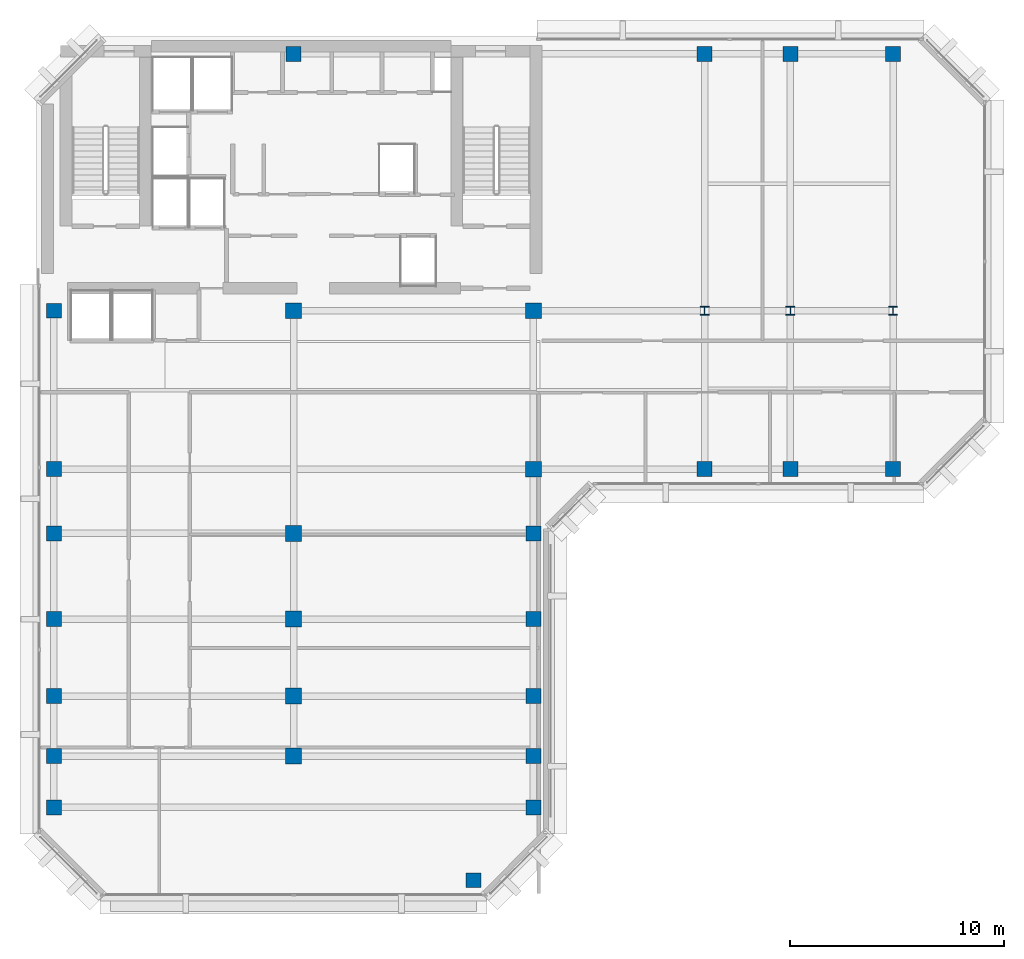
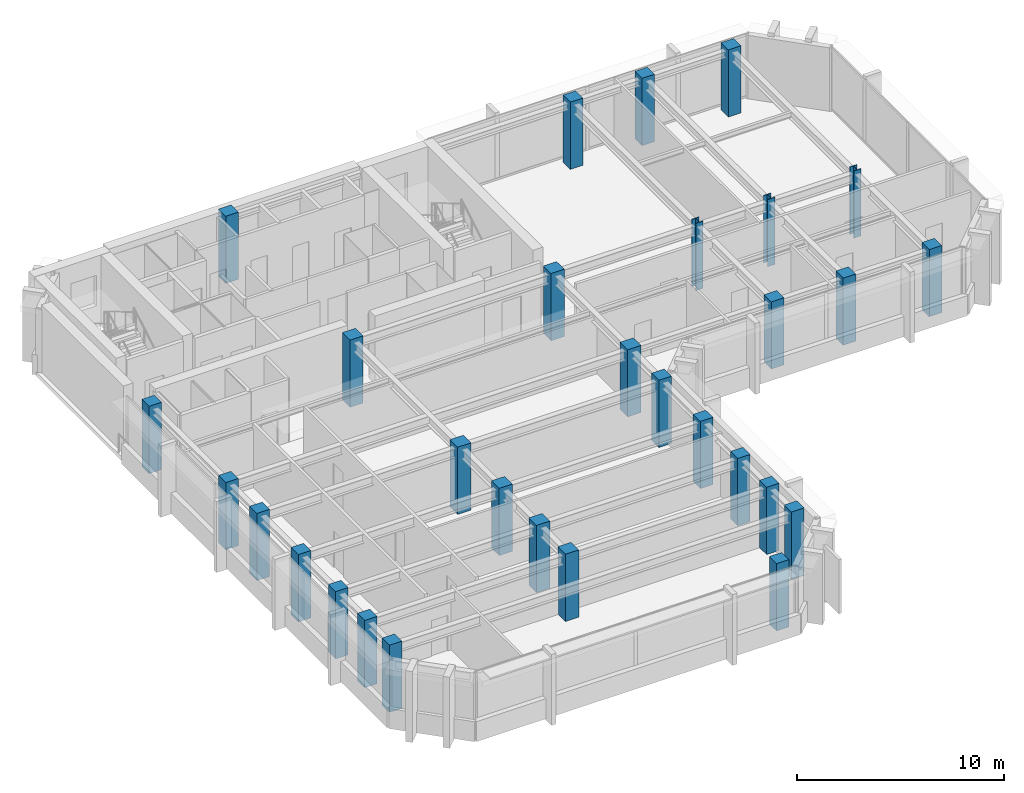
# One storey, part 1 of 11: 30 columns.
"""IFC4 building model written with IfcOpenShell, lengths in metres."""

from ifc_helpers import new_model, si_unit, direction, frame, origin, origin_2d, place, context, subcontext, project, spatial, rectangle, i_section, extrude, material, material_profile, profile_set, type_object, element, save


model = new_model("IFC4")

# Units and contexts
model_context = context("Model", 3, precision=1e-05, world=origin(), true_north=direction((0.0, 1.0)))
body_context = subcontext(model_context, "Body", "Model", "MODEL_VIEW")
ifc_project = project(units=[si_unit("LENGTHUNIT", "METRE"), si_unit("AREAUNIT", "SQUARE_METRE"), si_unit("VOLUMEUNIT", "CUBIC_METRE"), si_unit("PLANEANGLEUNIT", "RADIAN"), si_unit("MASSUNIT", "GRAM", prefix="KILO")], contexts=[model_context])

# Site, building, storey
site_placement = place(None, origin())
site = spatial("IfcSite", under=ifc_project, at=site_placement, CompositionType="ELEMENT")
building_placement = place(site_placement, origin())
building = spatial("IfcBuilding", under=site, at=building_placement, Name="Kefirva Bronze Tower", CompositionType="ELEMENT")
storey_placement = place(building_placement, frame((0.0, 0.0, 288.090087890625)))
storey = spatial("IfcBuildingStorey", under=building, at=storey_placement, Name="L70", CompositionType="ELEMENT", Elevation=288.090087890625)

# Columns
ifc_material_1 = material(Name="Concrete C50/60", Category="concrete")
ifc_material_profile_1 = material_profile(ifc_material_1, rectangle(XDim=0.699951171875, YDim=0.699951171875, at=origin_2d()), Name="RC 700x700")
ifc_profile_set_1 = profile_set([ifc_material_profile_1], Name="Concrete C50/60")
column_type_1 = type_object("IfcColumnType", Name="RC Column 700x700 Ext", PredefinedType="COLUMN", material=ifc_profile_set_1)
for number, where, z_axis, x_axis, name in (
    (1, (0.800048828125, 10.0, 0.0), (0.0, 0.0, 1.0), (1.0, 0.0, 0.0), "L70 Column C008_100"),
    (2, (0.800048828125, 12.39990234375, 0.0), (0.0, 0.0, 1.0), (1.0, 0.0, 0.0), "L70 Column C008_124"),
    (3, (0.800048828125, 15.199951171875, 0.0), (0.0, 0.0, 1.0), (1.0, 0.0, 0.0), "L70 Column C008_152"),
    (4, (0.800048828125, 18.800048828125, 0.0), (0.0, 0.0, 1.0), (1.0, 0.0, 0.0), "L70 Column C008_188"),
    (5, (0.800048828125, 22.800048828125, 0.0), (0.0, 0.0, 1.0), (1.0, 0.0, 0.0), "L70 Column C008_228"),
    (6, (0.800048828125, 25.800048828125, 0.0), (0.0, 0.0, 1.0), (1.0, 0.0, 0.0), "L70 Column C008_258"),
    (7, (0.800048828125, 33.199951171875, 0.0), (0.0, 0.0, 1.0), (1.0, 0.0, 0.0), "L70 Column C008_332"),
    (8, (12.0, 45.199951171875, 0.0), (0.0, 0.0, 1.0), (1.0, 0.0, 0.0), "L70 Column C120_452"),
    (9, (20.39990234375, 6.60009765625, 0.0), (0.0, 0.0, 1.0), (1.0, 0.0, 0.0), "L70 Column C204_066"),
    (10, (23.199951171875, 10.0, 0.0), (0.0, 0.0, 1.0), (1.0, 0.0, 0.0), "L70 Column C232_100"),
    (11, (23.199951171875, 12.39990234375, 0.0), (0.0, 0.0, 1.0), (1.0, 0.0, 0.0), "L70 Column C232_124"),
    (12, (23.199951171875, 15.199951171875, 0.0), (0.0, 0.0, 1.0), (1.0, 0.0, 0.0), "L70 Column C232_152"),
    (13, (23.199951171875, 18.800048828125, 0.0), (0.0, 0.0, 1.0), (1.0, 0.0, 0.0), "L70 Column C232_188"),
    (14, (23.199951171875, 22.800048828125, 0.0), (0.0, 0.0, 1.0), (1.0, 0.0, 0.0), "L70 Column C232_228"),
    (15, (31.199951171875, 25.800048828125, 0.0), (0.0, 0.0, 1.0), (1.0, 0.0, 0.0), "L70 Column C312_258"),
    (16, (31.199951171875, 45.199951171875, 0.0), (0.0, 0.0, 1.0), (1.0, 0.0, 0.0), "L70 Column C312_452"),
    (17, (35.199951171875, 25.800048828125, 0.0), (0.0, 0.0, 1.0), (1.0, 0.0, 0.0), "L70 Column C352_258"),
    (18, (35.199951171875, 45.199951171875, 0.0), (0.0, 0.0, 1.0), (1.0, 0.0, 0.0), "L70 Column C352_452"),
    (19, (40.0, 25.800048828125, 0.0), (0.0, 0.0, 1.0), (1.0, 0.0, 0.0), "L70 Column C400_258"),
    (20, (40.0, 45.199951171875, 0.0), (0.0, 0.0, 1.0), (1.0, 0.0, 0.0), "L70 Column C400_452"),
):
    element("IfcColumn", number, at=place(storey_placement, frame(where, z_axis=z_axis, x_axis=x_axis)), inside=storey, type_object=column_type_1, Name=name, PredefinedType="COLUMN", context=body_context, shape_type="SweptSolid", body=[
        extrude(rectangle(XDim=0.699951171875, YDim=0.699951171875, at=origin_2d()), origin(), (0.0, 0.0, 1.0), 3.9599609375),
    ])
ifc_material_profile_2 = material_profile(ifc_material_1, rectangle(XDim=0.739990234375, YDim=0.739990234375, at=origin_2d()), Name="RC 740x740")
ifc_profile_set_2 = profile_set([ifc_material_profile_2], Name="Concrete C50/60")
column_type_2 = type_object("IfcColumnType", Name="RC Column 740x740 Int", PredefinedType="COLUMN", material=ifc_profile_set_2)
for number, where, z_axis, x_axis, name in (
    (21, (12.0, 12.39990234375, 0.0), (0.0, 0.0, 1.0), (1.0, 0.0, 0.0), "L70 Column C120_124"),
    (22, (12.0, 15.199951171875, 0.0), (0.0, 0.0, 1.0), (1.0, 0.0, 0.0), "L70 Column C120_152"),
    (23, (12.0, 18.800048828125, 0.0), (0.0, 0.0, 1.0), (1.0, 0.0, 0.0), "L70 Column C120_188"),
    (24, (12.0, 22.800048828125, 0.0), (0.0, 0.0, 1.0), (1.0, 0.0, 0.0), "L70 Column C120_228"),
    (25, (12.0, 33.199951171875, 0.0), (0.0, 0.0, 1.0), (1.0, 0.0, 0.0), "L70 Column C120_332"),
    (26, (23.199951171875, 25.800048828125, 0.0), (0.0, 0.0, 1.0), (1.0, 0.0, 0.0), "L70 Column C232_258"),
    (27, (23.199951171875, 33.199951171875, 0.0), (0.0, 0.0, 1.0), (1.0, 0.0, 0.0), "L70 Column C232_332"),
):
    element("IfcColumn", number, at=place(storey_placement, frame(where, z_axis=z_axis, x_axis=x_axis)), inside=storey, type_object=column_type_2, Name=name, PredefinedType="COLUMN", context=body_context, shape_type="SweptSolid", body=[
        extrude(rectangle(XDim=0.739990234375, YDim=0.739990234375, at=origin_2d()), origin(), (0.0, 0.0, 1.0), 3.9599609375),
    ])
ifc_material_2 = material(Name="Steel S460", Category="steel")
ifc_material_profile_3 = material_profile(ifc_material_2, i_section(OverallWidth=0.406005859375, OverallDepth=0.416015625, WebThickness=0.02197265625, FlangeThickness=0.035888671875, at=origin_2d()), Name="HD 400x382")
ifc_profile_set_3 = profile_set([ifc_material_profile_3], Name="Steel S460")
column_type_3 = type_object("IfcColumnType", Name="Steel Column HD 400x382", PredefinedType="COLUMN", material=ifc_profile_set_3)
for number, where, z_axis, x_axis, name in (
    (28, (31.199951171875, 33.199951171875, 0.0), (0.0, 0.0, 1.0), (1.0, 0.0, 0.0), "L70 Column C312_332"),
    (29, (35.199951171875, 33.199951171875, 0.0), (0.0, 0.0, 1.0), (1.0, 0.0, 0.0), "L70 Column C352_332"),
    (30, (40.0, 33.199951171875, 0.0), (0.0, 0.0, 1.0), (1.0, 0.0, 0.0), "L70 Column C400_332"),
):
    element("IfcColumn", number, at=place(storey_placement, frame(where, z_axis=z_axis, x_axis=x_axis)), inside=storey, type_object=column_type_3, Name=name, PredefinedType="COLUMN", context=body_context, shape_type="SweptSolid", body=[
        extrude(i_section(OverallWidth=0.406005859375, OverallDepth=0.416015625, WebThickness=0.02197265625, FlangeThickness=0.035888671875, at=origin_2d()), origin(), (0.0, 0.0, 1.0), 3.9599609375),
    ])

save(model, "model.ifc")
